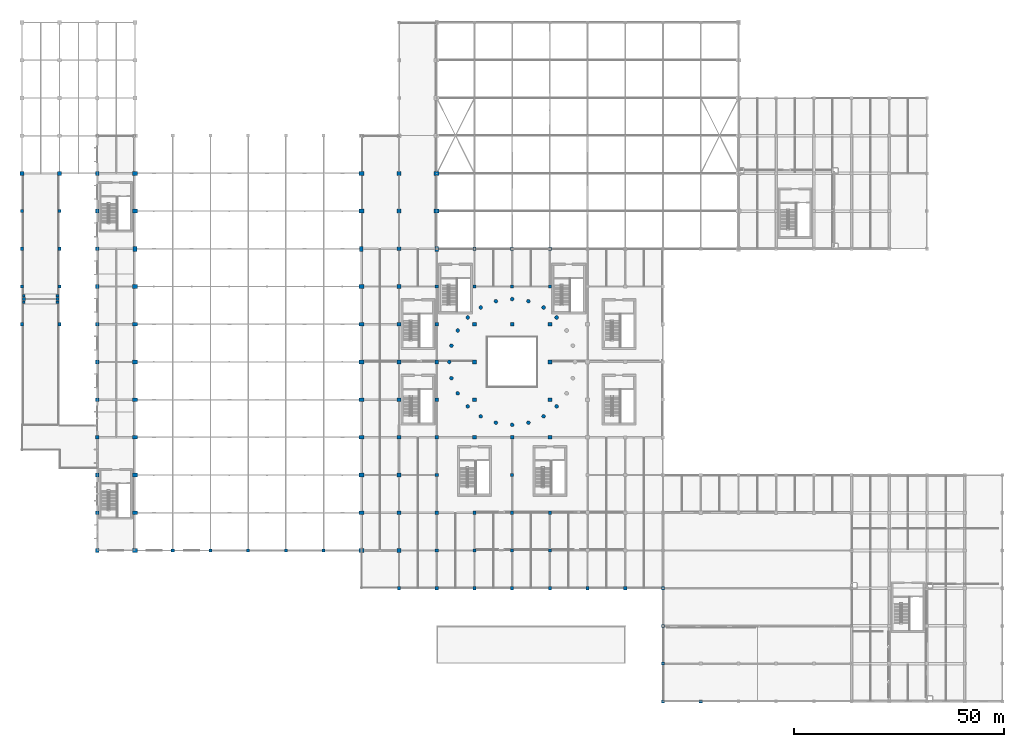
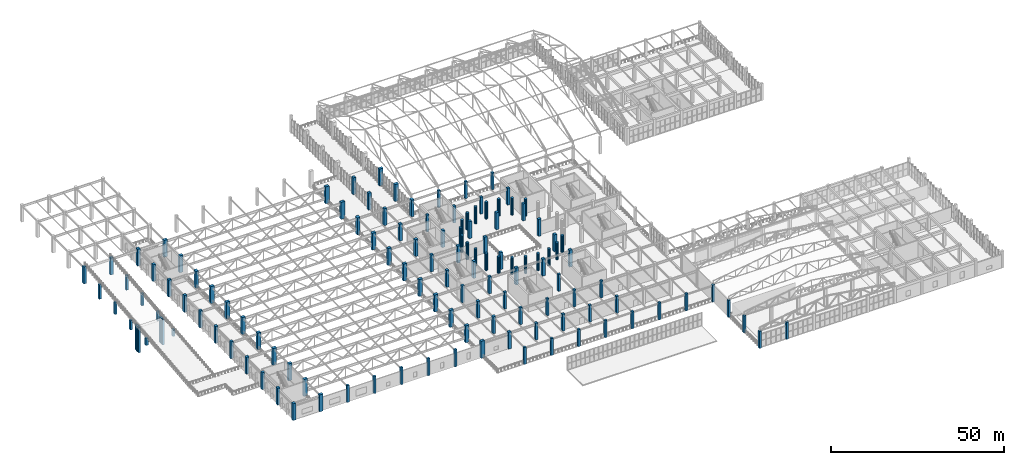
# One storey, part 1 of 223: 130 columns.
"""IFC4 building model written with IfcOpenShell, lengths in metres."""

import ifcopenshell
import ifcopenshell.guid

model = None  # the IFC model being written
_history = None  # IfcOwnerHistory: only IFC2X3 demands one
_inside = {}  # id of a spatial element -> (the spatial element, [elements in it])
_under = {}  # id of a project, library or spatial element -> (it, [spatial elements below it])
_declared = {}  # id of a project -> (the project, [libraries it declares])
_typed = {}  # id of a type object -> (the type object, [elements of that type])
_made_of = {}  # id of a material, layer set ... -> (it, [elements and type objects made of it])


def new_model(schema):
    """Start an empty IFC model of exactly this schema.

    Asked for "IFC4X3", IfcOpenShell would pick the latest addendum, in which some entities
    have other attributes; the version numbers below select the first issue.
    IFC2X3 requires an IfcOwnerHistory on every rooted entity: one is made here for all.
    """
    global model, _history
    if schema == "IFC4X3":
        model = ifcopenshell.file(schema_version=(4, 3, 0, 0))
    else:
        model = ifcopenshell.file(schema=schema)
    _inside.clear()
    _under.clear()
    _declared.clear()
    _typed.clear()
    _made_of.clear()
    _history = None
    if model.schema == "IFC2X3":
        org = make("IfcOrganization", Name="unknown")
        user = make(
            "IfcPersonAndOrganization",
            ThePerson=make("IfcPerson", FamilyName="unknown"),
            TheOrganization=org,
        )
        app = make(
            "IfcApplication",
            ApplicationDeveloper=org,
            Version="unknown",
            ApplicationFullName="unknown",
            ApplicationIdentifier="unknown",
        )
        _history = make(
            "IfcOwnerHistory",
            OwningUser=user,
            OwningApplication=app,
            ChangeAction="ADDED",
            CreationDate=0,
        )
    return model


def make(cls, **values):
    """One entity of the class cls with the attributes given. An attribute that is None is left unset."""
    return model.create_entity(
        cls, **{name: value for name, value in values.items() if value is not None}
    )


def rooted(cls, **values):
    """An entity with a GlobalId (a new one), such as an element, a storey or a relation."""
    return make(cls, GlobalId=ifcopenshell.guid.new(), OwnerHistory=_history, **values)


def si_unit(unit_type, name, prefix=None):
    """IfcSIUnit, for example si_unit("LENGTHUNIT", "METRE", prefix="MILLI")."""
    return make("IfcSIUnit", UnitType=unit_type, Prefix=prefix, Name=name)


def assignment(units):
    """IfcUnitAssignment: the units of a project."""
    return None if units is None else make("IfcUnitAssignment", Units=units)


def point(xyz):
    """IfcCartesianPoint."""
    return None if xyz is None else make("IfcCartesianPoint", Coordinates=xyz)


def direction(xyz):
    """IfcDirection."""
    return None if xyz is None else make("IfcDirection", DirectionRatios=xyz)


def frame(location, z_axis=None, x_axis=None):
    """IfcAxis2Placement3D, a coordinate frame: its origin and axes. An axis left out is left unset."""
    return make(
        "IfcAxis2Placement3D",
        Location=point(location),
        Axis=direction(z_axis),
        RefDirection=direction(x_axis),
    )


def frame_2d(location, x_axis=None):
    """IfcAxis2Placement2D, a coordinate frame in the plane: its origin and x axis."""
    return make(
        "IfcAxis2Placement2D", Location=point(location), RefDirection=direction(x_axis)
    )


def origin():
    """The frame at (0, 0, 0) with its axes left unset."""
    return frame((0.0, 0.0, 0.0))


def origin_2d():
    """The frame at (0, 0) in the plane with its x axis left unset."""
    return frame_2d((0.0, 0.0))


def place(relative_to, where):
    """IfcLocalPlacement: puts the frame where relative to a parent placement (None: the world)."""
    return make(
        "IfcLocalPlacement", PlacementRelTo=relative_to, RelativePlacement=where
    )


def context(
    kind, dimensions, precision=None, world=None, true_north=None, identifier=None
):
    """IfcGeometricRepresentationContext, for example the 3D "Model" context."""
    return make(
        "IfcGeometricRepresentationContext",
        ContextIdentifier=identifier,
        ContextType=kind,
        CoordinateSpaceDimension=dimensions,
        Precision=precision,
        WorldCoordinateSystem=world,
        TrueNorth=true_north,
    )


def subcontext(parent, identifier, kind, view, scale=None):
    """IfcGeometricRepresentationSubContext, for example "Body" below "Model"."""
    return make(
        "IfcGeometricRepresentationSubContext",
        ContextIdentifier=identifier,
        ContextType=kind,
        ParentContext=parent,
        TargetScale=scale,
        TargetView=view,
    )


def project(units=None, contexts=None):
    """IfcProject with its units and contexts."""
    return rooted(
        "IfcProject",
        Name="project",
        RepresentationContexts=contexts,
        UnitsInContext=assignment(units),
    )


def spatial(cls, under=None, at=None, **own):
    """A site, building, storey or space (cls), placed at a placement, below another one or the project."""
    s = rooted(cls, ObjectPlacement=at, **own)
    if under is not None:
        _under.setdefault(under.id(), (under, []))[1].append(s)
    return s


def profile(cls, at=None, kind="AREA", **sizes):
    """A parametric profile (cls). Its sizes go by their IFC names, for example OverallWidth=200.0."""
    return make(cls, ProfileType=kind, Position=at, **sizes)


def rectangle(**sizes):
    """IfcRectangleProfileDef."""
    return profile("IfcRectangleProfileDef", **sizes)


def circle(**sizes):
    """IfcCircleProfileDef."""
    return profile("IfcCircleProfileDef", **sizes)


def extrude(swept, where, along, depth):
    """IfcExtrudedAreaSolid: the profile swept, set in the frame where, extruded along a direction by depth."""
    return make(
        "IfcExtrudedAreaSolid",
        SweptArea=swept,
        Position=where,
        ExtrudedDirection=direction(along),
        Depth=depth,
    )


def shape(context_of_items, identifier, shape_type, items):
    """IfcShapeRepresentation: the items that make up one representation, for example the "Body"."""
    return make(
        "IfcShapeRepresentation",
        ContextOfItems=context_of_items,
        RepresentationIdentifier=identifier,
        RepresentationType=shape_type,
        Items=items,
    )


def material(Name=None, Category=None):
    """IfcMaterial."""
    return make("IfcMaterial", Name=Name, Category=Category)


def material_profile(
    of_material, cross_section, Name=None, Category=None, Priority=None
):
    """IfcMaterialProfile: a cross section and its material."""
    return make(
        "IfcMaterialProfile",
        Name=Name,
        Material=of_material,
        Profile=cross_section,
        Priority=Priority,
        Category=Category,
    )


def profile_set(profiles, Name=None, composite=None):
    """IfcMaterialProfileSet."""
    return make(
        "IfcMaterialProfileSet",
        Name=Name,
        MaterialProfiles=profiles,
        CompositeProfile=composite,
    )


def made_of(thing, what):
    """Note that an element or type object is made of a material, layer set ...; save() writes the relation."""
    if what is not None:
        _made_of.setdefault(what.id(), (what, []))[1].append(thing)
    return thing


def type_object(cls, material=None, **own):
    """A type object (cls), such as IfcWallType, which elements share."""
    return made_of(rooted(cls, **own), material)


def element(
    cls,
    number,
    at=None,
    inside=None,
    cuts=None,
    type_object=None,
    material=None,
    context=None,
    identifier="Body",
    shape_type=None,
    held_by="IfcProductDefinitionShape",
    body=None,
    shapes=None,
    **own,
):
    """One element of the class cls, such as IfcWall. Its Tag is "e" and its number.

    at: its placement. inside: the storey or other place that contains it. cuts: it is an
    opening in that element (IfcRelVoidsElement). A single representation is given by context,
    identifier, shape_type and body (its items); several are given by shapes. held_by: the class
    of the entity that holds the representations. save() writes the other relations.
    """
    e = rooted(cls, Tag="e%d" % number, ObjectPlacement=at, **own)
    if body is not None:
        shapes = [shape(context, identifier, shape_type, body)]
    if shapes is not None:
        e.Representation = make(held_by, Representations=shapes)
    if inside is not None:
        _inside.setdefault(inside.id(), (inside, []))[1].append(e)
    if cuts is not None:
        rooted(
            "IfcRelVoidsElement", RelatingBuildingElement=cuts, RelatedOpeningElement=e
        )
    if type_object is not None:
        _typed.setdefault(type_object.id(), (type_object, []))[1].append(e)
    return made_of(e, material)


def aggregate(whole, parts):
    """IfcRelAggregates: a whole, such as a stair, and the parts it consists of."""
    return rooted("IfcRelAggregates", RelatingObject=whole, RelatedObjects=parts)


def save(model, path):
    """Write the relations noted so far, then the file.

    IfcRelAggregates (storeys below a building ...), IfcRelContainedInSpatialStructure (elements
    in a storey), IfcRelDefinesByType, IfcRelAssociatesMaterial and IfcRelDeclares: one each for
    every whole, place, type object, material and project.
    """
    for whole, parts in _under.values():
        aggregate(whole, parts)
    for where, things in _inside.values():
        rooted(
            "IfcRelContainedInSpatialStructure",
            RelatedElements=things,
            RelatingStructure=where,
        )
    for kind, things in _typed.values():
        rooted("IfcRelDefinesByType", RelatedObjects=things, RelatingType=kind)
    for what, things in _made_of.values():
        rooted("IfcRelAssociatesMaterial", RelatedObjects=things, RelatingMaterial=what)
    for by, libraries in _declared.values():
        rooted("IfcRelDeclares", RelatingContext=by, RelatedDefinitions=libraries)
    model.write(path)


model = new_model("IFC4")

# Units and contexts
model_context = context("Model", 3, precision=1e-05, world=origin(), true_north=direction((0.0, 1.0)))
body_context = subcontext(model_context, "Body", "Model", "MODEL_VIEW")
ifc_project = project(units=[si_unit("LENGTHUNIT", "METRE"), si_unit("AREAUNIT", "SQUARE_METRE"), si_unit("VOLUMEUNIT", "CUBIC_METRE"), si_unit("PLANEANGLEUNIT", "RADIAN"), si_unit("MASSUNIT", "GRAM", prefix="KILO")], contexts=[model_context])

# Site, building, storey
site_placement = place(None, origin())
site = spatial("IfcSite", under=ifc_project, at=site_placement, CompositionType="ELEMENT")
building_placement = place(site_placement, origin())
building = spatial("IfcBuilding", under=site, at=building_placement, Name="Dornveld Trade and Exhibition Forum", CompositionType="ELEMENT")
storey_placement = place(building_placement, frame((0.0, 0.0, 6.0)))
storey = spatial("IfcBuildingStorey", under=building, at=storey_placement, Name="L01", CompositionType="ELEMENT", Elevation=6.0)

# Columns
ifc_material_1 = material(Name="Precast concrete C50/60", Category="concrete")
ifc_material_profile_1 = material_profile(ifc_material_1, circle(Radius=0.449951171875, at=origin_2d()), Name="PC-COL D900")
ifc_profile_set_1 = profile_set([ifc_material_profile_1], Name="Precast concrete C50/60")
column_type_1 = type_object("IfcColumnType", Name="COL-DISC-D900", PredefinedType="COLUMN", material=ifc_profile_set_1)
for number, where, z_axis, x_axis, name in (
    (1, (102.0, 81.0, 0.0), (0.0, 0.0, 1.0), (1.0, 0.0, 0.0), "L01 column (102.0, 81.0)"),
    (2, (102.510986328125, 77.117919921875, 0.0), (0.0, 0.0, 1.0), (1.0, 0.0, 0.0), "L01 column (102.5, 77.1)"),
    (3, (102.510986328125, 84.882080078125, 0.0), (0.0, 0.0, 1.0), (1.0, 0.0, 0.0), "L01 column (102.5, 84.9)"),
    (4, (104.010009765625, 73.5, 0.0), (0.0, 0.0, 1.0), (1.0, 0.0, 0.0), "L01 column (104.0, 73.5)"),
    (5, (104.010009765625, 88.5, 0.0), (0.0, 0.0, 1.0), (1.0, 0.0, 0.0), "L01 column (104.0, 88.5)"),
    (6, (106.39306640625, 70.39306640625, 0.0), (0.0, 0.0, 1.0), (1.0, 0.0, 0.0), "L01 column (106.4, 70.4)"),
    (7, (106.39306640625, 91.60693359375, 0.0), (0.0, 0.0, 1.0), (1.0, 0.0, 0.0), "L01 column (106.4, 91.6)"),
    (8, (109.5, 68.010009765625, 0.0), (0.0, 0.0, 1.0), (1.0, 0.0, 0.0), "L01 column (109.5, 68.0)"),
    (9, (109.5, 93.989990234375, 0.0), (0.0, 0.0, 1.0), (1.0, 0.0, 0.0), "L01 column (109.5, 94.0)"),
    (10, (113.117919921875, 66.510986328125, 0.0), (0.0, 0.0, 1.0), (1.0, 0.0, 0.0), "L01 column (113.1, 66.5)"),
    (11, (113.117919921875, 95.489013671875, 0.0), (0.0, 0.0, 1.0), (1.0, 0.0, 0.0), "L01 column (113.1, 95.5)"),
    (12, (117.0, 66.0, 0.0), (0.0, 0.0, 1.0), (1.0, 0.0, 0.0), "L01 column (117.0, 66.0)"),
    (13, (117.0, 96.0, 0.0), (0.0, 0.0, 1.0), (1.0, 0.0, 0.0), "L01 column (117.0, 96.0)"),
    (14, (120.882080078125, 66.510986328125, 0.0), (0.0, 0.0, 1.0), (1.0, 0.0, 0.0), "L01 column (120.9, 66.5)"),
    (15, (120.882080078125, 95.489013671875, 0.0), (0.0, 0.0, 1.0), (1.0, 0.0, 0.0), "L01 column (120.9, 95.5)"),
    (16, (124.5, 68.010009765625, 0.0), (0.0, 0.0, 1.0), (1.0, 0.0, 0.0), "L01 column (124.5, 68.0)"),
    (17, (124.5, 93.989990234375, 0.0), (0.0, 0.0, 1.0), (1.0, 0.0, 0.0), "L01 column (124.5, 94.0)"),
    (18, (127.60693359375, 70.39306640625, 0.0), (0.0, 0.0, 1.0), (1.0, 0.0, 0.0), "L01 column (127.6, 70.4)"),
    (19, (127.60693359375, 91.60693359375, 0.0), (0.0, 0.0, 1.0), (1.0, 0.0, 0.0), "L01 column (127.6, 91.6)"),
):
    element("IfcColumn", number, at=place(storey_placement, frame(where, z_axis=z_axis, x_axis=x_axis)), inside=storey, type_object=column_type_1, Name=name, PredefinedType="COLUMN", context=body_context, shape_type="SweptSolid", body=[
        extrude(circle(Radius=0.449951171875, at=origin_2d()), origin(), (0.0, 0.0, 1.0), 6.0),
    ])
ifc_material_2 = material(Name="Precast concrete C50/60", Category="concrete")
ifc_material_profile_2 = material_profile(ifc_material_2, rectangle(XDim=0.60009765625, YDim=0.60009765625, at=origin_2d()), Name="PC-COL 600x600")
ifc_profile_set_2 = profile_set([ifc_material_profile_2], Name="Precast concrete C50/60")
column_type_2 = type_object("IfcColumnType", Name="COL-PC600", PredefinedType="COLUMN", material=ifc_profile_set_2)
for number, where, z_axis, x_axis, name in (
    (20, (0.5, 95.199951171875, -6.0), (0.0, 0.0, 1.0), (1.0, 0.0, 0.0), "Ramp landing pier 2.1"),
    (21, (8.5, 95.199951171875, -6.0), (0.0, 0.0, 1.0), (1.0, 0.0, 0.0), "Ramp landing pier 2.2"),
    (22, (0.5, 96.800048828125, -6.0), (0.0, 0.0, 1.0), (1.0, 0.0, 0.0), "Ramp landing pier 2.3"),
    (23, (8.5, 96.800048828125, -6.0), (0.0, 0.0, 1.0), (1.0, 0.0, 0.0), "Ramp landing pier 2.4"),
):
    element("IfcColumn", number, at=place(storey_placement, frame(where, z_axis=z_axis, x_axis=x_axis)), inside=storey, type_object=column_type_2, Name=name, PredefinedType="COLUMN", context=body_context, shape_type="SweptSolid", body=[
        extrude(rectangle(XDim=0.60009765625, YDim=0.60009765625, at=origin_2d()), origin(), (0.0, 0.0, 1.0), 9.0),
    ])
ifc_material_3 = material(Name="Precast concrete C50/60", Category="concrete")
ifc_material_profile_3 = material_profile(ifc_material_3, rectangle(XDim=0.75, YDim=0.75, at=origin_2d()), Name="PC-COL 750x750")
ifc_profile_set_3 = profile_set([ifc_material_profile_3], Name="Precast concrete C50/60")
column_type_3 = type_object("IfcColumnType", Name="COL-PC750", PredefinedType="COLUMN", material=ifc_profile_set_3)
column_1_placement = place(storey_placement, frame((0.0, 90.0, 0.0), z_axis=(0.0, 0.0, 1.0), x_axis=(1.0, 0.0, 0.0)))
element("IfcColumn", 24, at=column_1_placement, inside=storey, type_object=column_type_3, Name="L01 column (0.0, 90.0)", PredefinedType="COLUMN", context=body_context, shape_type="SweptSolid", body=[
    extrude(rectangle(XDim=0.75, YDim=0.75, at=origin_2d()), origin(), (0.0, 0.0, 1.0), 2.39990234375),
])
column_2_placement = place(storey_placement, frame((0.0, 99.0, 0.0), z_axis=(0.0, 0.0, 1.0), x_axis=(1.0, 0.0, 0.0)))
element("IfcColumn", 25, at=column_2_placement, inside=storey, type_object=column_type_3, Name="L01 column (0.0, 99.0)", PredefinedType="COLUMN", context=body_context, shape_type="SweptSolid", body=[
    extrude(rectangle(XDim=0.75, YDim=0.75, at=origin_2d()), origin(), (0.0, 0.0, 1.0), 3.300048828125),
])
column_3_placement = place(storey_placement, frame((0.0, 108.0, 0.0), z_axis=(0.0, 0.0, 1.0), x_axis=(1.0, 0.0, 0.0)))
element("IfcColumn", 26, at=column_3_placement, inside=storey, type_object=column_type_3, Name="L01 column (0.0, 108.0)", PredefinedType="COLUMN", context=body_context, shape_type="SweptSolid", body=[
    extrude(rectangle(XDim=0.75, YDim=0.75, at=origin_2d()), origin(), (0.0, 0.0, 1.0), 4.199951171875),
])
column_4_placement = place(storey_placement, frame((0.0, 117.0, 0.0), z_axis=(0.0, 0.0, 1.0), x_axis=(1.0, 0.0, 0.0)))
element("IfcColumn", 27, at=column_4_placement, inside=storey, type_object=column_type_3, Name="L01 column (0.0, 117.0)", PredefinedType="COLUMN", context=body_context, shape_type="SweptSolid", body=[
    extrude(rectangle(XDim=0.75, YDim=0.75, at=origin_2d()), origin(), (0.0, 0.0, 1.0), 5.10009765625),
])
column_5_placement = place(storey_placement, frame((9.0, 90.0, 0.0), z_axis=(0.0, 0.0, 1.0), x_axis=(1.0, 0.0, 0.0)))
element("IfcColumn", 28, at=column_5_placement, inside=storey, type_object=column_type_3, Name="L01 column (9.0, 90.0)", PredefinedType="COLUMN", context=body_context, shape_type="SweptSolid", body=[
    extrude(rectangle(XDim=0.75, YDim=0.75, at=origin_2d()), origin(), (0.0, 0.0, 1.0), 2.39990234375),
])
column_6_placement = place(storey_placement, frame((9.0, 99.0, 0.0), z_axis=(0.0, 0.0, 1.0), x_axis=(1.0, 0.0, 0.0)))
element("IfcColumn", 29, at=column_6_placement, inside=storey, type_object=column_type_3, Name="L01 column (9.0, 99.0)", PredefinedType="COLUMN", context=body_context, shape_type="SweptSolid", body=[
    extrude(rectangle(XDim=0.75, YDim=0.75, at=origin_2d()), origin(), (0.0, 0.0, 1.0), 3.300048828125),
])
column_7_placement = place(storey_placement, frame((9.0, 108.0, 0.0), z_axis=(0.0, 0.0, 1.0), x_axis=(1.0, 0.0, 0.0)))
element("IfcColumn", 30, at=column_7_placement, inside=storey, type_object=column_type_3, Name="L01 column (9.0, 108.0)", PredefinedType="COLUMN", context=body_context, shape_type="SweptSolid", body=[
    extrude(rectangle(XDim=0.75, YDim=0.75, at=origin_2d()), origin(), (0.0, 0.0, 1.0), 4.199951171875),
])
column_8_placement = place(storey_placement, frame((9.0, 117.0, 0.0), z_axis=(0.0, 0.0, 1.0), x_axis=(1.0, 0.0, 0.0)))
element("IfcColumn", 31, at=column_8_placement, inside=storey, type_object=column_type_3, Name="L01 column (9.0, 117.0)", PredefinedType="COLUMN", context=body_context, shape_type="SweptSolid", body=[
    extrude(rectangle(XDim=0.75, YDim=0.75, at=origin_2d()), origin(), (0.0, 0.0, 1.0), 5.10009765625),
])
for number, where, z_axis, x_axis, name in (
    (32, (90.0, 27.0, 0.0), (0.0, 0.0, 1.0), (1.0, 0.0, 0.0), "L01 column (90.0, 27.0)"),
    (33, (99.0, 27.0, 0.0), (0.0, 0.0, 1.0), (1.0, 0.0, 0.0), "L01 column (99.0, 27.0)"),
    (34, (99.0, 36.0, 0.0), (0.0, 0.0, 1.0), (1.0, 0.0, 0.0), "L01 column (99.0, 36.0)"),
    (35, (99.0, 45.0, 0.0), (0.0, 0.0, 1.0), (1.0, 0.0, 0.0), "L01 column (99.0, 45.0)"),
    (36, (99.0, 54.0, 0.0), (0.0, 0.0, 1.0), (1.0, 0.0, 0.0), "L01 column (99.0, 54.0)"),
    (37, (99.0, 99.0, 0.0), (0.0, 0.0, 1.0), (1.0, 0.0, 0.0), "L01 column (99.0, 99.0)"),
    (38, (108.0, 27.0, 0.0), (0.0, 0.0, 1.0), (1.0, 0.0, 0.0), "L01 column (108.0, 27.0)"),
    (39, (108.0, 36.0, 0.0), (0.0, 0.0, 1.0), (1.0, 0.0, 0.0), "L01 column (108.0, 36.0)"),
    (40, (108.0, 45.0, 0.0), (0.0, 0.0, 1.0), (1.0, 0.0, 0.0), "L01 column (108.0, 45.0)"),
    (41, (108.0, 99.0, 0.0), (0.0, 0.0, 1.0), (1.0, 0.0, 0.0), "L01 column (108.0, 99.0)"),
    (42, (108.0, 108.0, 0.0), (0.0, 0.0, 1.0), (1.0, 0.0, 0.0), "L01 column (108.0, 108.0)"),
    (43, (117.0, 27.0, 0.0), (0.0, 0.0, 1.0), (1.0, 0.0, 0.0), "L01 column (117.0, 27.0)"),
    (44, (117.0, 36.0, 0.0), (0.0, 0.0, 1.0), (1.0, 0.0, 0.0), "L01 column (117.0, 36.0)"),
    (45, (117.0, 45.0, 0.0), (0.0, 0.0, 1.0), (1.0, 0.0, 0.0), "L01 column (117.0, 45.0)"),
    (46, (117.0, 54.0, 0.0), (0.0, 0.0, 1.0), (1.0, 0.0, 0.0), "L01 column (117.0, 54.0)"),
    (47, (117.0, 99.0, 0.0), (0.0, 0.0, 1.0), (1.0, 0.0, 0.0), "L01 column (117.0, 99.0)"),
    (48, (117.0, 108.0, 0.0), (0.0, 0.0, 1.0), (1.0, 0.0, 0.0), "L01 column (117.0, 108.0)"),
    (49, (126.0, 27.0, 0.0), (0.0, 0.0, 1.0), (1.0, 0.0, 0.0), "L01 column (126.0, 27.0)"),
    (50, (126.0, 36.0, 0.0), (0.0, 0.0, 1.0), (1.0, 0.0, 0.0), "L01 column (126.0, 36.0)"),
    (51, (126.0, 45.0, 0.0), (0.0, 0.0, 1.0), (1.0, 0.0, 0.0), "L01 column (126.0, 45.0)"),
    (52, (126.0, 99.0, 0.0), (0.0, 0.0, 1.0), (1.0, 0.0, 0.0), "L01 column (126.0, 99.0)"),
    (53, (126.0, 108.0, 0.0), (0.0, 0.0, 1.0), (1.0, 0.0, 0.0), "L01 column (126.0, 108.0)"),
    (54, (135.0, 27.0, 0.0), (0.0, 0.0, 1.0), (1.0, 0.0, 0.0), "L01 column (135.0, 27.0)"),
    (55, (144.0, 27.0, 0.0), (0.0, 0.0, 1.0), (1.0, 0.0, 0.0), "L01 column (144.0, 27.0)"),
    (56, (153.0, 0.0, 0.0), (0.0, 0.0, 1.0), (1.0, 0.0, 0.0), "L01 column (153.0, 0.0)"),
    (57, (153.0, 9.0, 0.0), (0.0, 0.0, 1.0), (1.0, 0.0, 0.0), "L01 column (153.0, 9.0)"),
    (58, (153.0, 18.0, 0.0), (0.0, 0.0, 1.0), (1.0, 0.0, 0.0), "L01 column (153.0, 18.0)"),
    (59, (153.0, 27.0, 0.0), (0.0, 0.0, 1.0), (1.0, 0.0, 0.0), "L01 column (153.0, 27.0)"),
    (60, (162.0, 0.0, 0.0), (0.0, 0.0, 1.0), (1.0, 0.0, 0.0), "L01 column (162.0, 0.0)"),
):
    element("IfcColumn", number, at=place(storey_placement, frame(where, z_axis=z_axis, x_axis=x_axis)), inside=storey, type_object=column_type_3, Name=name, PredefinedType="COLUMN", context=body_context, shape_type="SweptSolid", body=[
        extrude(rectangle(XDim=0.75, YDim=0.75, at=origin_2d()), origin(), (0.0, 0.0, 1.0), 6.0),
    ])
for number, where, z_axis, x_axis, name in (
    (61, (0.5, 96.0, -6.0), (0.0, 0.0, 1.0), (1.0, 0.0, 0.0), "Ramp support pier 7"),
    (62, (8.5, 96.0, -6.0), (0.0, 0.0, 1.0), (1.0, 0.0, 0.0), "Ramp support pier 8"),
):
    element("IfcColumn", number, at=place(storey_placement, frame(where, z_axis=z_axis, x_axis=x_axis)), inside=storey, type_object=column_type_3, Name=name, PredefinedType="COLUMN", context=body_context, shape_type="SweptSolid", body=[
        extrude(rectangle(XDim=0.75, YDim=0.75, at=origin_2d()), origin(), (0.0, 0.0, 1.0), 9.0),
    ])
ifc_material_4 = material(Name="Precast concrete C50/60", Category="concrete")
ifc_material_profile_4 = material_profile(ifc_material_4, rectangle(XDim=0.89990234375, YDim=0.89990234375, at=origin_2d()), Name="PC-COL 900x900")
ifc_profile_set_4 = profile_set([ifc_material_profile_4], Name="Precast concrete C50/60")
column_type_4 = type_object("IfcColumnType", Name="COL-PC900", PredefinedType="COLUMN", material=ifc_profile_set_4)
for number, where, z_axis, x_axis, name in (
    (63, (0.0, 126.0, 0.0), (0.0, 0.0, 1.0), (1.0, 0.0, 0.0), "L01 column (0.0, 126.0)"),
    (64, (9.0, 126.0, 0.0), (0.0, 0.0, 1.0), (1.0, 0.0, 0.0), "L01 column (9.0, 126.0)"),
    (65, (18.0, 36.0, 0.0), (0.0, 0.0, 1.0), (1.0, 0.0, 0.0), "L01 column (18.0, 36.0)"),
    (66, (18.0, 45.0, 0.0), (0.0, 0.0, 1.0), (1.0, 0.0, 0.0), "L01 column (18.0, 45.0)"),
    (67, (18.0, 54.0, 0.0), (0.0, 0.0, 1.0), (1.0, 0.0, 0.0), "L01 column (18.0, 54.0)"),
    (68, (18.0, 63.0, 0.0), (0.0, 0.0, 1.0), (1.0, 0.0, 0.0), "L01 column (18.0, 63.0)"),
    (69, (18.0, 72.0, 0.0), (0.0, 0.0, 1.0), (1.0, 0.0, 0.0), "L01 column (18.0, 72.0)"),
    (70, (18.0, 81.0, 0.0), (0.0, 0.0, 1.0), (1.0, 0.0, 0.0), "L01 column (18.0, 81.0)"),
    (71, (18.0, 90.0, 0.0), (0.0, 0.0, 1.0), (1.0, 0.0, 0.0), "L01 column (18.0, 90.0)"),
    (72, (18.0, 99.0, 0.0), (0.0, 0.0, 1.0), (1.0, 0.0, 0.0), "L01 column (18.0, 99.0)"),
    (73, (18.0, 108.0, 0.0), (0.0, 0.0, 1.0), (1.0, 0.0, 0.0), "L01 column (18.0, 108.0)"),
    (74, (18.0, 117.0, 0.0), (0.0, 0.0, 1.0), (1.0, 0.0, 0.0), "L01 column (18.0, 117.0)"),
    (75, (18.0, 126.0, 0.0), (0.0, 0.0, 1.0), (1.0, 0.0, 0.0), "L01 column (18.0, 126.0)"),
    (76, (90.0, 36.0, 0.0), (0.0, 0.0, 1.0), (1.0, 0.0, 0.0), "L01 column (90.0, 36.0)"),
    (77, (90.0, 45.0, 0.0), (0.0, 0.0, 1.0), (1.0, 0.0, 0.0), "L01 column (90.0, 45.0)"),
    (78, (90.0, 54.0, 0.0), (0.0, 0.0, 1.0), (1.0, 0.0, 0.0), "L01 column (90.0, 54.0)"),
    (79, (90.0, 63.0, 0.0), (0.0, 0.0, 1.0), (1.0, 0.0, 0.0), "L01 column (90.0, 63.0)"),
    (80, (90.0, 72.0, 0.0), (0.0, 0.0, 1.0), (1.0, 0.0, 0.0), "L01 column (90.0, 72.0)"),
    (81, (90.0, 81.0, 0.0), (0.0, 0.0, 1.0), (1.0, 0.0, 0.0), "L01 column (90.0, 81.0)"),
    (82, (90.0, 90.0, 0.0), (0.0, 0.0, 1.0), (1.0, 0.0, 0.0), "L01 column (90.0, 90.0)"),
    (83, (90.0, 99.0, 0.0), (0.0, 0.0, 1.0), (1.0, 0.0, 0.0), "L01 column (90.0, 99.0)"),
    (84, (90.0, 108.0, 0.0), (0.0, 0.0, 1.0), (1.0, 0.0, 0.0), "L01 column (90.0, 108.0)"),
    (85, (90.0, 117.0, 0.0), (0.0, 0.0, 1.0), (1.0, 0.0, 0.0), "L01 column (90.0, 117.0)"),
    (86, (90.0, 126.0, 0.0), (0.0, 0.0, 1.0), (1.0, 0.0, 0.0), "L01 column (90.0, 126.0)"),
    (87, (99.0, 63.0, 0.0), (0.0, 0.0, 1.0), (1.0, 0.0, 0.0), "L01 column (99.0, 63.0)"),
    (88, (99.0, 72.0, 0.0), (0.0, 0.0, 1.0), (1.0, 0.0, 0.0), "L01 column (99.0, 72.0)"),
    (89, (99.0, 81.0, 0.0), (0.0, 0.0, 1.0), (1.0, 0.0, 0.0), "L01 column (99.0, 81.0)"),
    (90, (99.0, 90.0, 0.0), (0.0, 0.0, 1.0), (1.0, 0.0, 0.0), "L01 column (99.0, 90.0)"),
    (91, (108.0, 63.0, 0.0), (0.0, 0.0, 1.0), (1.0, 0.0, 0.0), "L01 column (108.0, 63.0)"),
    (92, (108.0, 72.0, 0.0), (0.0, 0.0, 1.0), (1.0, 0.0, 0.0), "L01 column (108.0, 72.0)"),
    (93, (108.0, 81.0, 0.0), (0.0, 0.0, 1.0), (1.0, 0.0, 0.0), "L01 column (108.0, 81.0)"),
    (94, (108.0, 90.0, 0.0), (0.0, 0.0, 1.0), (1.0, 0.0, 0.0), "L01 column (108.0, 90.0)"),
    (95, (117.0, 63.0, 0.0), (0.0, 0.0, 1.0), (1.0, 0.0, 0.0), "L01 column (117.0, 63.0)"),
    (96, (117.0, 90.0, 0.0), (0.0, 0.0, 1.0), (1.0, 0.0, 0.0), "L01 column (117.0, 90.0)"),
    (97, (126.0, 63.0, 0.0), (0.0, 0.0, 1.0), (1.0, 0.0, 0.0), "L01 column (126.0, 63.0)"),
    (98, (126.0, 72.0, 0.0), (0.0, 0.0, 1.0), (1.0, 0.0, 0.0), "L01 column (126.0, 72.0)"),
    (99, (126.0, 81.0, 0.0), (0.0, 0.0, 1.0), (1.0, 0.0, 0.0), "L01 column (126.0, 81.0)"),
    (100, (126.0, 90.0, 0.0), (0.0, 0.0, 1.0), (1.0, 0.0, 0.0), "L01 column (126.0, 90.0)"),
):
    element("IfcColumn", number, at=place(storey_placement, frame(where, z_axis=z_axis, x_axis=x_axis)), inside=storey, type_object=column_type_4, Name=name, PredefinedType="COLUMN", context=body_context, shape_type="SweptSolid", body=[
        extrude(rectangle(XDim=0.89990234375, YDim=0.89990234375, at=origin_2d()), origin(), (0.0, 0.0, 1.0), 6.0),
    ])
ifc_material_5 = material(Name="Precast concrete C50/60", Category="concrete")
ifc_material_profile_5 = material_profile(ifc_material_5, rectangle(XDim=1.199951171875, YDim=0.89990234375, at=origin_2d()), Name="PC-PIER 1200x900")
ifc_profile_set_5 = profile_set([ifc_material_profile_5], Name="Precast concrete C50/60")
column_type_5 = type_object("IfcColumnType", Name="COL-PIER1200", PredefinedType="COLUMN", material=ifc_profile_set_5)
for number, where, z_axis, x_axis, name in (
    (101, (27.0, 36.0, 0.0), (0.0, 0.0, 1.0), (1.0, 0.0, 0.0), "L01 column (27.0, 36.0)"),
    (102, (27.0, 45.0, 0.0), (0.0, 0.0, 1.0), (1.0, 0.0, 0.0), "L01 column (27.0, 45.0)"),
    (103, (27.0, 54.0, 0.0), (0.0, 0.0, 1.0), (1.0, 0.0, 0.0), "L01 column (27.0, 54.0)"),
    (104, (27.0, 63.0, 0.0), (0.0, 0.0, 1.0), (1.0, 0.0, 0.0), "L01 column (27.0, 63.0)"),
    (105, (27.0, 72.0, 0.0), (0.0, 0.0, 1.0), (1.0, 0.0, 0.0), "L01 column (27.0, 72.0)"),
    (106, (27.0, 81.0, 0.0), (0.0, 0.0, 1.0), (1.0, 0.0, 0.0), "L01 column (27.0, 81.0)"),
    (107, (27.0, 90.0, 0.0), (0.0, 0.0, 1.0), (1.0, 0.0, 0.0), "L01 column (27.0, 90.0)"),
    (108, (27.0, 99.0, 0.0), (0.0, 0.0, 1.0), (1.0, 0.0, 0.0), "L01 column (27.0, 99.0)"),
    (109, (27.0, 108.0, 0.0), (0.0, 0.0, 1.0), (0.0, 1.0, 0.0), "L01 column (27.0, 108.0)"),
    (110, (27.0, 117.0, 0.0), (0.0, 0.0, 1.0), (1.0, 0.0, 0.0), "L01 column (27.0, 117.0)"),
    (111, (27.0, 126.0, 0.0), (0.0, 0.0, 1.0), (1.0, 0.0, 0.0), "L01 column (27.0, 126.0)"),
    (112, (81.0, 36.0, 0.0), (0.0, 0.0, 1.0), (1.0, 0.0, 0.0), "L01 column (81.0, 36.0)"),
    (113, (81.0, 45.0, 0.0), (0.0, 0.0, 1.0), (1.0, 0.0, 0.0), "L01 column (81.0, 45.0)"),
    (114, (81.0, 54.0, 0.0), (0.0, 0.0, 1.0), (1.0, 0.0, 0.0), "L01 column (81.0, 54.0)"),
    (115, (81.0, 63.0, 0.0), (0.0, 0.0, 1.0), (1.0, 0.0, 0.0), "L01 column (81.0, 63.0)"),
    (116, (81.0, 72.0, 0.0), (0.0, 0.0, 1.0), (1.0, 0.0, 0.0), "L01 column (81.0, 72.0)"),
    (117, (81.0, 81.0, 0.0), (0.0, 0.0, 1.0), (1.0, 0.0, 0.0), "L01 column (81.0, 81.0)"),
    (118, (81.0, 90.0, 0.0), (0.0, 0.0, 1.0), (1.0, 0.0, 0.0), "L01 column (81.0, 90.0)"),
    (119, (81.0, 99.0, 0.0), (0.0, 0.0, 1.0), (1.0, 0.0, 0.0), "L01 column (81.0, 99.0)"),
    (120, (81.0, 108.0, 0.0), (0.0, 0.0, 1.0), (0.0, 1.0, 0.0), "L01 column (81.0, 108.0)"),
    (121, (81.0, 117.0, 0.0), (0.0, 0.0, 1.0), (1.0, 0.0, 0.0), "L01 column (81.0, 117.0)"),
    (122, (81.0, 126.0, 0.0), (0.0, 0.0, 1.0), (1.0, 0.0, 0.0), "L01 column (81.0, 126.0)"),
    (123, (99.0, 108.0, 0.0), (0.0, 0.0, 1.0), (0.0, 1.0, 0.0), "L01 column (99.0, 108.0)"),
    (124, (99.0, 117.0, 0.0), (0.0, 0.0, 1.0), (1.0, 0.0, 0.0), "L01 column (99.0, 117.0)"),
    (125, (99.0, 126.0, 0.0), (0.0, 0.0, 1.0), (1.0, 0.0, 0.0), "L01 column (99.0, 126.0)"),
):
    element("IfcColumn", number, at=place(storey_placement, frame(where, z_axis=z_axis, x_axis=x_axis)), inside=storey, type_object=column_type_5, Name=name, PredefinedType="COLUMN", context=body_context, shape_type="SweptSolid", body=[
        extrude(rectangle(XDim=1.199951171875, YDim=0.89990234375, at=origin_2d()), origin(), (0.0, 0.0, 1.0), 6.0),
    ])
ifc_material_6 = material(Name="Precast concrete C50/60", Category="concrete")
ifc_material_profile_6 = material_profile(ifc_material_6, rectangle(XDim=0.75, YDim=0.75, at=origin_2d()), Name="PC-COL 750x750")
ifc_profile_set_6 = profile_set([ifc_material_profile_6], Name="Precast concrete C50/60")
column_type_6 = type_object("IfcColumnType", Name="COL-PILASTER750", PredefinedType="PILASTER", material=ifc_profile_set_6)
for number, where, z_axis, x_axis, name in (
    (126, (36.0, 36.0, 0.0), (0.0, 0.0, 1.0), (1.0, 0.0, 0.0), "L01 column (36.0, 36.0)"),
    (127, (45.0, 36.0, 0.0), (0.0, 0.0, 1.0), (1.0, 0.0, 0.0), "L01 column (45.0, 36.0)"),
    (128, (54.0, 36.0, 0.0), (0.0, 0.0, 1.0), (1.0, 0.0, 0.0), "L01 column (54.0, 36.0)"),
    (129, (63.0, 36.0, 0.0), (0.0, 0.0, 1.0), (1.0, 0.0, 0.0), "L01 column (63.0, 36.0)"),
    (130, (72.0, 36.0, 0.0), (0.0, 0.0, 1.0), (1.0, 0.0, 0.0), "L01 column (72.0, 36.0)"),
):
    element("IfcColumn", number, at=place(storey_placement, frame(where, z_axis=z_axis, x_axis=x_axis)), inside=storey, type_object=column_type_6, Name=name, PredefinedType="PILASTER", context=body_context, shape_type="SweptSolid", body=[
        extrude(rectangle(XDim=0.75, YDim=0.75, at=origin_2d()), origin(), (0.0, 0.0, 1.0), 6.0),
    ])

save(model, "model.ifc")
